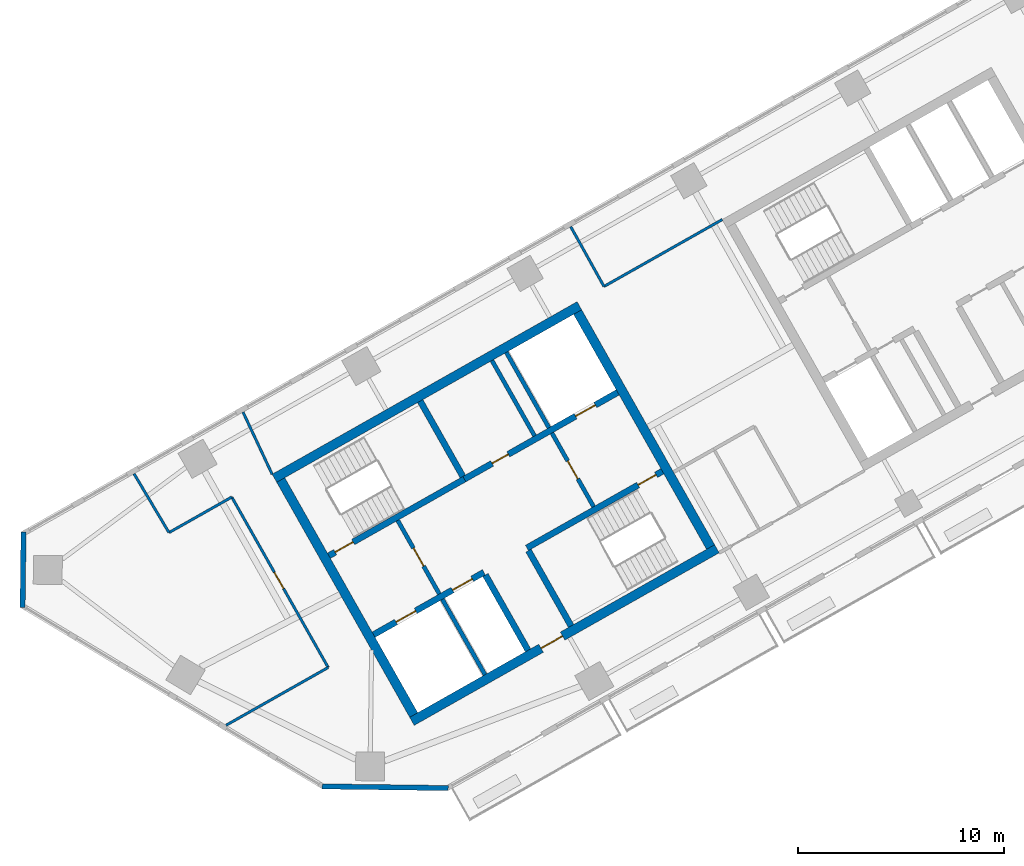
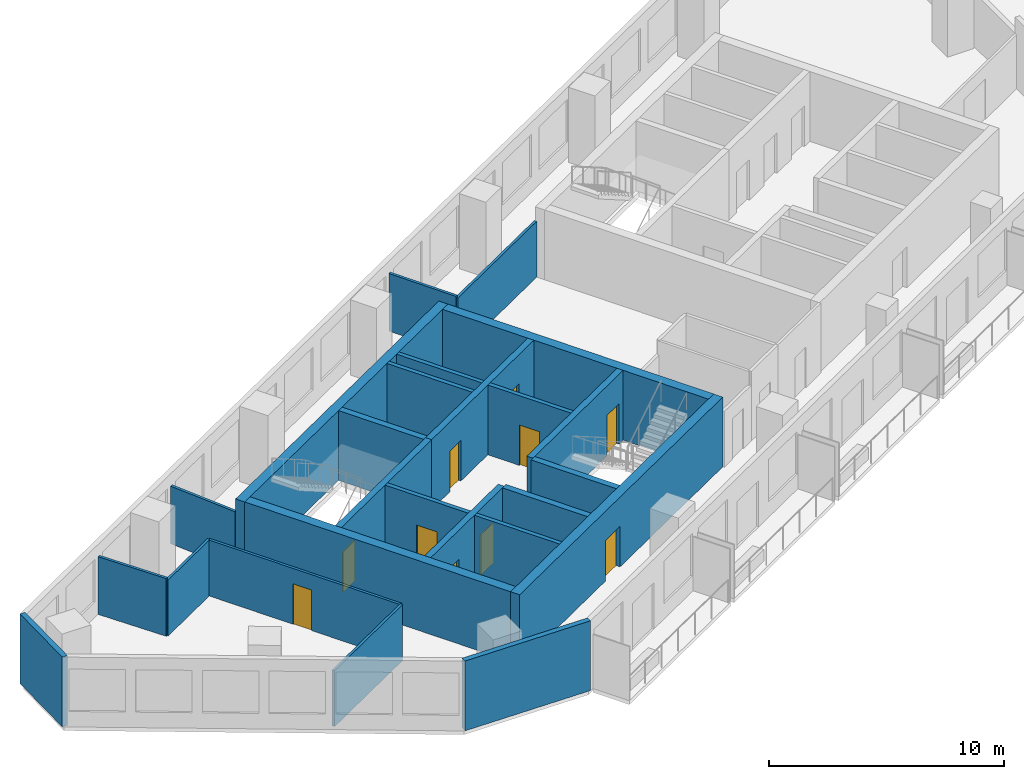
# One storey, part 3 of 12: 25 walls, 10 doors, 10 openings.
"""IFC4 building model written with IfcOpenShell, lengths in metres."""

from ifc_helpers import new_model, si_unit, direction, frame, frame_2d, origin, place, context, subcontext, project, spatial, rectangle, extrude, material, layer, layer_set, type_object, element, fill, save


model = new_model("IFC4")

# Units and contexts
model_context = context("Model", 3, precision=1e-05, world=origin(), true_north=direction((0.0, 1.0)))
body_context = subcontext(model_context, "Body", "Model", "MODEL_VIEW")
ifc_project = project(units=[si_unit("LENGTHUNIT", "METRE"), si_unit("AREAUNIT", "SQUARE_METRE"), si_unit("VOLUMEUNIT", "CUBIC_METRE"), si_unit("PLANEANGLEUNIT", "RADIAN"), si_unit("MASSUNIT", "GRAM", prefix="KILO")], contexts=[model_context])

# Site, building, storey
site_placement = place(None, origin())
site = spatial("IfcSite", under=ifc_project, at=site_placement, CompositionType="ELEMENT")
building_placement = place(site_placement, origin())
building = spatial("IfcBuilding", under=site, at=building_placement, Name="Binnacle Exchange Tower", CompositionType="ELEMENT")
storey_placement = place(building_placement, frame((0.0, 0.0, 242.60009765625)))
storey = spatial("IfcBuildingStorey", under=building, at=storey_placement, Name="L53", CompositionType="ELEMENT", Elevation=242.60009765625)

# Wall, openings, doors
ifc_material_1 = material(Name="Concrete C70/85", Category="concrete")
ifc_layer_1 = layer(ifc_material_1, 0.300048828125)
ifc_layer_set_1 = layer_set([ifc_layer_1], Name="Core wall - front 300")
wall_type_1 = type_object("IfcWallType", Name="Core wall - front 300", PredefinedType="SOLIDWALL", material=ifc_layer_set_1)
wall_1_placement = place(storey_placement, frame((-41.6865234375, 33.88720703125, 0.0), z_axis=(0.0, 0.0, 1.0), x_axis=(0.870355736587, 0.49242348826, 0.0)))
wall_1 = element("IfcWall", 1, at=wall_1_placement, inside=storey, type_object=wall_type_1, Name="Core wall CRWA2", PredefinedType="SOLIDWALL", context=body_context, shape_type="SweptSolid", body=[
    extrude(rectangle(XDim=6.14990234375, YDim=0.300048828125, at=frame_2d((3.074951171875, 0.0))), origin(), (0.0, 0.0, 1.0), 3.619873046875),
])
opening_1_placement = place(wall_1_placement, frame((1.25, 0.0, 0.0)))
opening_1 = element("IfcOpeningElement", 2, at=opening_1_placement, cuts=wall_1, Name="Opening LD12", PredefinedType="OPENING", context=body_context, shape_type="SweptSolid", body=[
    extrude(rectangle(XDim=1.10009765625, YDim=2.10009765625, at=frame_2d((0.550048828125, 1.050048828125))), frame((0.0, 0.159912109375, 0.0), z_axis=(0.0, -1.0, 0.0), x_axis=(1.0, 0.0, 0.0)), (0.0, 0.0, 1.0), 0.320068359375),
])
opening_2_placement = place(wall_1_placement, frame((4.39990234375, 0.0, 0.0)))
opening_2 = element("IfcOpeningElement", 3, at=opening_2_placement, cuts=wall_1, Name="Opening LD8", PredefinedType="OPENING", context=body_context, shape_type="SweptSolid", body=[
    extrude(rectangle(XDim=1.10009765625, YDim=2.10009765625, at=frame_2d((0.550048828125, 1.050048828125))), frame((0.0, 0.159912109375, 0.0), z_axis=(0.0, -1.0, 0.0), x_axis=(1.0, 0.0, 0.0)), (0.0, 0.0, 1.0), 0.320068359375),
])
ifc_material_2 = material(Name="Steel door leaf", Category="steel")
door_type_1 = type_object("IfcDoorType", Name="Fire door - lift landing 1100", OperationType="NOTDEFINED", PredefinedType="DOOR", material=ifc_material_2)
door_1_placement = place(opening_1_placement, origin())
door_1 = element("IfcDoor", 4, at=door_1_placement, inside=storey, type_object=door_type_1, Name="Landing door LD12 L53", OperationType="DOUBLE_DOOR_SLIDING", OverallHeight=2.10009765625, OverallWidth=1.10009765625, PredefinedType="DOOR", context=body_context, shape_type="SweptSolid", body=[
    extrude(rectangle(XDim=1.10009765625, YDim=2.10009765625, at=frame_2d((0.550048828125, 1.050048828125))), frame((0.0, 0.02490234375, 0.0), z_axis=(0.0, -1.0, 0.0), x_axis=(1.0, 0.0, 0.0)), (0.0, 0.0, 1.0), 0.050048828125),
])
fill(opening_1, door_1)
door_2_placement = place(opening_2_placement, origin())
door_2 = element("IfcDoor", 5, at=door_2_placement, inside=storey, type_object=door_type_1, Name="Landing door LD8 L53", OperationType="DOUBLE_DOOR_SLIDING", OverallHeight=2.10009765625, OverallWidth=1.10009765625, PredefinedType="DOOR", context=body_context, shape_type="SweptSolid", body=[
    extrude(rectangle(XDim=1.10009765625, YDim=2.10009765625, at=frame_2d((0.550048828125, 1.050048828125))), frame((0.0, 0.02490234375, 0.0), z_axis=(0.0, -1.0, 0.0), x_axis=(1.0, 0.0, 0.0)), (0.0, 0.0, 1.0), 0.050048828125),
])
fill(opening_2, door_2)

wall_2_placement = place(storey_placement, frame((-37.281982421875, 41.4345703125, 0.0), z_axis=(0.0, 0.0, 1.0), x_axis=(0.870352688754, 0.492428875248, 0.0)))
wall_2 = element("IfcWall", 6, at=wall_2_placement, inside=storey, type_object=wall_type_1, Name="Core wall CRWA5", PredefinedType="SOLIDWALL", context=body_context, shape_type="SweptSolid", body=[
    extrude(rectangle(XDim=8.5498046875, YDim=0.300048828125, at=frame_2d((4.27490234375, 0.0))), origin(), (0.0, 0.0, 1.0), 3.619873046875),
])
opening_3_placement = place(wall_2_placement, frame((6.199951171875, 0.0, 0.0)))
opening_3 = element("IfcOpeningElement", 7, at=opening_3_placement, cuts=wall_2, Name="Opening LD13", PredefinedType="OPENING", context=body_context, shape_type="SweptSolid", body=[
    extrude(rectangle(XDim=1.10009765625, YDim=2.10009765625, at=frame_2d((0.550048828125, 1.050048828125))), frame((0.0, 0.159912109375, 0.0), z_axis=(0.0, -1.0, 0.0), x_axis=(1.0, 0.0, 0.0)), (0.0, 0.0, 1.0), 0.320068359375),
])
opening_4_placement = place(wall_2_placement, frame((1.550048828125, 0.0, 0.0)))
opening_4 = element("IfcOpeningElement", 8, at=opening_4_placement, cuts=wall_2, Name="Opening DA10", PredefinedType="OPENING", context=body_context, shape_type="SweptSolid", body=[
    extrude(rectangle(XDim=0.89990234375, YDim=2.10009765625, at=frame_2d((0.449951171875, 1.050048828125))), frame((0.0, 0.159912109375, 0.0), z_axis=(0.0, -1.0, 0.0), x_axis=(1.0, 0.0, 0.0)), (0.0, 0.0, 1.0), 0.320068359375),
])
door_3_placement = place(opening_3_placement, origin())
door_3 = element("IfcDoor", 9, at=door_3_placement, inside=storey, type_object=door_type_1, Name="Landing door LD13 L53", OperationType="DOUBLE_DOOR_SLIDING", OverallHeight=2.10009765625, OverallWidth=1.10009765625, PredefinedType="DOOR", context=body_context, shape_type="SweptSolid", body=[
    extrude(rectangle(XDim=1.10009765625, YDim=2.10009765625, at=frame_2d((0.550048828125, 1.050048828125))), frame((0.0, 0.02490234375, 0.0), z_axis=(0.0, -1.0, 0.0), x_axis=(1.0, 0.0, 0.0)), (0.0, 0.0, 1.0), 0.050048828125),
])
fill(opening_3, door_3)
door_type_2 = type_object("IfcDoorType", Name="Fire door 900", OperationType="NOTDEFINED", PredefinedType="DOOR", material=ifc_material_2)
door_4_placement = place(opening_4_placement, origin())
door_4 = element("IfcDoor", 10, at=door_4_placement, inside=storey, type_object=door_type_2, Name="Core room door LINEN AND SUPPLIES STORE", OperationType="SINGLE_SWING_LEFT", OverallHeight=2.10009765625, OverallWidth=0.89990234375, PredefinedType="DOOR", context=body_context, shape_type="SweptSolid", body=[
    extrude(rectangle(XDim=0.89990234375, YDim=2.10009765625, at=frame_2d((0.449951171875, 1.050048828125))), frame((0.0, 0.02490234375, 0.0), z_axis=(0.0, -1.0, 0.0), x_axis=(1.0, 0.0, 0.0)), (0.0, 0.0, 1.0), 0.050048828125),
])
fill(opening_4, door_4)

# Wall
wall_3_placement = place(storey_placement, frame((-36.260009765625, 36.784912109375, 0.0), z_axis=(0.0, 0.0, 1.0), x_axis=(0.492409653846, -0.870363563575, 0.0)))
element("IfcWall", 11, at=wall_3_placement, inside=storey, type_object=wall_type_1, Name="Core wall CRWA13", PredefinedType="SOLIDWALL", context=body_context, shape_type="SweptSolid", body=[
    extrude(rectangle(XDim=4.199951171875, YDim=0.300048828125, at=frame_2d((2.10009765625, 0.0))), origin(), (0.0, 0.0, 1.0), 3.619873046875),
])

# Wall, opening, door
ifc_layer_2 = layer(ifc_material_1, 0.449951171875)
ifc_layer_set_2 = layer_set([ifc_layer_2], Name="Core wall - outer 450")
wall_type_2 = type_object("IfcWallType", Name="Core wall - outer 450", PredefinedType="SOLIDWALL", material=ifc_layer_set_2)
wall_4_placement = place(storey_placement, frame((-39.825439453125, 29.68359375, 0.0), z_axis=(0.0, 0.0, 1.0), x_axis=(0.870353598469, 0.492427267353, 0.0)))
wall_4 = element("IfcWall", 12, at=wall_4_placement, inside=storey, type_object=wall_type_2, Name="Core wall CRWA1", PredefinedType="SOLIDWALL", context=body_context, shape_type="SweptSolid", body=[
    extrude(rectangle(XDim=17.000244140625, YDim=0.449951171875, at=frame_2d((8.5, 0.0))), origin(), (0.0, 0.0, 1.0), 3.619873046875),
])
opening_5_placement = place(wall_4_placement, frame((7.199951171875, 0.0, 0.0)))
opening_5 = element("IfcOpeningElement", 13, at=opening_5_placement, cuts=wall_4, Name="Opening DA7", PredefinedType="OPENING", context=body_context, shape_type="SweptSolid", body=[
    extrude(rectangle(XDim=1.199951171875, YDim=2.10009765625, at=frame_2d((0.60009765625, 1.050048828125))), frame((0.0, 0.23486328125, 0.0), z_axis=(0.0, -1.0, 0.0), x_axis=(1.0, 0.0, 0.0)), (0.0, 0.0, 1.0), 0.469970703125),
])
door_type_3 = type_object("IfcDoorType", Name="Fire door 1200", OperationType="NOTDEFINED", PredefinedType="DOOR", material=ifc_material_2)
door_5_placement = place(opening_5_placement, frame((1.199951171875, 0.0, 0.0), z_axis=(0.0, 0.0, 1.0), x_axis=(-1.0, 0.0, 0.0)))
door_5 = element("IfcDoor", 14, at=door_5_placement, inside=storey, type_object=door_type_3, Name="Lift lobby entrance door core A", OperationType="SINGLE_SWING_RIGHT", OverallHeight=2.10009765625, OverallWidth=1.199951171875, PredefinedType="DOOR", context=body_context, shape_type="SweptSolid", body=[
    extrude(rectangle(XDim=1.199951171875, YDim=2.10009765625, at=frame_2d((0.60009765625, 1.050048828125))), frame((0.0, 0.02490234375, 0.0), z_axis=(0.0, -1.0, 0.0), x_axis=(1.0, 0.0, 0.0)), (0.0, 0.0, 1.0), 0.050048828125),
])
fill(opening_5, door_5)

# Walls
wall_5_placement = place(storey_placement, frame((-46.497802734375, 41.47705078125, 0.0), z_axis=(0.0, 0.0, 1.0), x_axis=(0.870359753402, 0.492416388494, 0.0)))
element("IfcWall", 15, at=wall_5_placement, inside=storey, type_object=wall_type_2, Name="Core wall CRWA6", PredefinedType="SOLIDWALL", context=body_context, shape_type="SweptSolid", body=[
    extrude(rectangle(XDim=17.0, YDim=0.449951171875, at=frame_2d((8.5, 0.0))), origin(), (0.0, 0.0, 1.0), 3.619873046875),
])
for number, where, z_axis, x_axis, name in (
    (16, (-46.191162109375, 41.391845703125, 0.0), (0.0, 0.0, 1.0), (0.492421378713, -0.870356930107, 0.0), "Core wall CRWA7"),
    (17, (-31.78662109375, 49.54150390625, 0.0), (0.0, 0.0, 1.0), (0.492421378713, -0.870356930107, 0.0), "Core wall CRWA22"),
):
    element("IfcWall", number, at=place(storey_placement, frame(where, z_axis=z_axis, x_axis=x_axis)), inside=storey, type_object=wall_type_2, Name=name, PredefinedType="SOLIDWALL", context=body_context, shape_type="SweptSolid", body=[
        extrude(rectangle(XDim=13.099853515625, YDim=0.449951171875, at=frame_2d((6.5498046875, 0.0))), origin(), (0.0, 0.0, 1.0), 3.619873046875),
    ])

# Wall, opening, door
ifc_layer_3 = layer(ifc_material_1, 0.300048828125)
ifc_layer_set_3 = layer_set([ifc_layer_3], Name="Core wall - stair 300")
wall_type_3 = type_object("IfcWallType", Name="Core wall - stair 300", PredefinedType="SOLIDWALL", material=ifc_layer_set_3)
wall_6_placement = place(storey_placement, frame((-34.2451171875, 38.097412109375, 0.0), z_axis=(0.0, 0.0, 1.0), x_axis=(0.870360409231, 0.492415229297, 0.0)))
wall_6 = element("IfcWall", 18, at=wall_6_placement, inside=storey, type_object=wall_type_3, Name="Core wall CRWA3", PredefinedType="SOLIDWALL", context=body_context, shape_type="SweptSolid", body=[
    extrude(rectangle(XDim=7.550048828125, YDim=0.300048828125, at=frame_2d((3.77490234375, 0.0))), origin(), (0.0, 0.0, 1.0), 3.619873046875),
])
opening_6_placement = place(wall_6_placement, frame((6.199951171875, 0.0, 0.0)))
opening_6 = element("IfcOpeningElement", 19, at=opening_6_placement, cuts=wall_6, Name="Opening DA2", PredefinedType="OPENING", context=body_context, shape_type="SweptSolid", body=[
    extrude(rectangle(XDim=1.0, YDim=2.10009765625, at=frame_2d((0.5, 1.050048828125))), frame((0.0, 0.159912109375, 0.0), z_axis=(0.0, -1.0, 0.0), x_axis=(1.0, 0.0, 0.0)), (0.0, 0.0, 1.0), 0.320068359375),
])
door_type_4 = type_object("IfcDoorType", Name="Fire door 1000", OperationType="NOTDEFINED", PredefinedType="DOOR", material=ifc_material_2)
door_6_placement = place(opening_6_placement, frame((1.0, 0.0, 0.0), z_axis=(0.0, 0.0, 1.0), x_axis=(-1.0, 0.0, 0.0)))
door_6 = element("IfcDoor", 20, at=door_6_placement, inside=storey, type_object=door_type_4, Name="Stair door ST-A2", OperationType="SINGLE_SWING_LEFT", OverallHeight=2.10009765625, OverallWidth=1.0, PredefinedType="DOOR", context=body_context, shape_type="SweptSolid", body=[
    extrude(rectangle(XDim=1.0, YDim=2.10009765625, at=frame_2d((0.5, 1.050048828125))), frame((0.0, 0.02490234375, 0.0), z_axis=(0.0, -1.0, 0.0), x_axis=(1.0, 0.0, 0.0)), (0.0, 0.0, 1.0), 0.050048828125),
])
fill(opening_6, door_6)

wall_7_placement = place(storey_placement, frame((-43.853271484375, 37.716796875, 0.0), z_axis=(0.0, 0.0, 1.0), x_axis=(0.870360409231, 0.492415229297, 0.0)))
wall_7 = element("IfcWall", 21, at=wall_7_placement, inside=storey, type_object=wall_type_3, Name="Core wall CRWA4", PredefinedType="SOLIDWALL", context=body_context, shape_type="SweptSolid", body=[
    extrude(rectangle(XDim=7.550048828125, YDim=0.300048828125, at=frame_2d((3.77490234375, 0.0))), origin(), (0.0, 0.0, 1.0), 3.619873046875),
])
opening_7_placement = place(wall_7_placement, frame((0.35009765625, 0.0, 0.0)))
opening_7 = element("IfcOpeningElement", 22, at=opening_7_placement, cuts=wall_7, Name="Opening DA1", PredefinedType="OPENING", context=body_context, shape_type="SweptSolid", body=[
    extrude(rectangle(XDim=1.0, YDim=2.10009765625, at=frame_2d((0.5, 1.050048828125))), frame((0.0, 0.159912109375, 0.0), z_axis=(0.0, -1.0, 0.0), x_axis=(1.0, 0.0, 0.0)), (0.0, 0.0, 1.0), 0.320068359375),
])
door_7_placement = place(opening_7_placement, origin())
door_7 = element("IfcDoor", 23, at=door_7_placement, inside=storey, type_object=door_type_4, Name="Stair door ST-A1", OperationType="SINGLE_SWING_LEFT", OverallHeight=2.10009765625, OverallWidth=1.0, PredefinedType="DOOR", context=body_context, shape_type="SweptSolid", body=[
    extrude(rectangle(XDim=1.0, YDim=2.10009765625, at=frame_2d((0.5, 1.050048828125))), frame((0.0, 0.02490234375, 0.0), z_axis=(0.0, -1.0, 0.0), x_axis=(1.0, 0.0, 0.0)), (0.0, 0.0, 1.0), 0.050048828125),
])
fill(opening_7, door_7)

# Walls
for number, where, z_axis, x_axis, name in (
    (24, (-39.424072265625, 45.220458984375, 0.0), (0.0, 0.0, 1.0), (0.492409653846, -0.870363563575, 0.0), "Core wall CRWA14"),
    (25, (-34.171142578125, 37.966796875, 0.0), (0.0, 0.0, 1.0), (0.492409653846, -0.870363563575, 0.0), "Core wall CRWA16"),
):
    element("IfcWall", number, at=place(storey_placement, frame(where, z_axis=z_axis, x_axis=x_axis)), inside=storey, type_object=wall_type_3, Name=name, PredefinedType="SOLIDWALL", context=body_context, shape_type="SweptSolid", body=[
        extrude(rectangle(XDim=4.199951171875, YDim=0.300048828125, at=frame_2d((2.10009765625, 0.0))), origin(), (0.0, 0.0, 1.0), 3.619873046875),
    ])
ifc_material_3 = material(Name="Bronze aluminium cladding", Category="aluminium")
ifc_layer_4 = layer(ifc_material_3, 0.25)
ifc_layer_set_4 = layer_set([ifc_layer_4], Name="External wall - window wall 250")
wall_type_4 = type_object("IfcWallType", Name="External wall - window wall 250", PredefinedType="STANDARD", material=ifc_layer_set_4)
wall_8_placement = place(storey_placement, frame((-38.06396484375, 26.44482421875, 0.0), z_axis=(0.0, 0.0, 1.0), x_axis=(-0.999914239143, 0.013096349097, 0.0)))
element("IfcWall", 26, at=wall_8_placement, inside=storey, type_object=wall_type_4, Name="External wall EW-G00 L53", PredefinedType="STANDARD", context=body_context, shape_type="SweptSolid", body=[
    extrude(rectangle(XDim=6.114501953125, YDim=0.25, at=frame_2d((3.05712890625, 0.0))), origin(), (0.0, 0.0, 1.0), 3.619873046875),
])
wall_9_placement = place(storey_placement, frame((-58.717041015625, 35.208251953125, 0.0), z_axis=(0.0, 0.0, 1.0), x_axis=(0.01310512158, 0.999914124207, 0.0)))
element("IfcWall", 27, at=wall_9_placement, inside=storey, type_object=wall_type_4, Name="External wall EW-G09 L53", PredefinedType="STANDARD", context=body_context, shape_type="SweptSolid", body=[
    extrude(rectangle(XDim=3.669921875, YDim=0.25, at=frame_2d((1.8349609375, 0.0))), origin(), (0.0, 0.0, 1.0), 3.619873046875),
])

# Wall, opening, door
ifc_material_4 = material(Name="Masonry block wall", Category="masonry")
ifc_layer_5 = layer(ifc_material_4, 0.199951171875)
ifc_layer_set_5 = layer_set([ifc_layer_5], Name="Fire wall - vestibule 200")
wall_type_5 = type_object("IfcWallType", Name="Fire wall - vestibule 200", PredefinedType="PARTITIONING", material=ifc_layer_set_5)
wall_10_placement = place(storey_placement, frame((-40.515625, 39.4326171875, 0.0), z_axis=(0.0, 0.0, 1.0), x_axis=(0.492453559952, -0.87033872216, 0.0)))
wall_10 = element("IfcWall", 28, at=wall_10_placement, inside=storey, type_object=wall_type_5, Name="Core wall CRWA10", PredefinedType="PARTITIONING", context=body_context, shape_type="SweptSolid", body=[
    extrude(rectangle(XDim=4.099853515625, YDim=0.199951171875, at=frame_2d((2.0498046875, 0.0))), origin(), (0.0, 0.0, 1.0), 3.619873046875),
])
opening_8_placement = place(wall_10_placement, frame((1.550048828125, 0.0, 0.0)))
opening_8 = element("IfcOpeningElement", 29, at=opening_8_placement, cuts=wall_10, Name="Opening DA3", PredefinedType="OPENING", context=body_context, shape_type="SweptSolid", body=[
    extrude(rectangle(XDim=1.0, YDim=2.10009765625, at=frame_2d((0.5, 1.050048828125))), frame((0.0, 0.10986328125, 0.0), z_axis=(0.0, -1.0, 0.0), x_axis=(1.0, 0.0, 0.0)), (0.0, 0.0, 1.0), 0.219970703125),
])
door_8_placement = place(opening_8_placement, frame((1.0, 0.0, 0.0), z_axis=(0.0, 0.0, 1.0), x_axis=(-1.0, 0.0, 0.0)))
door_8 = element("IfcDoor", 30, at=door_8_placement, inside=storey, type_object=door_type_4, Name="Vestibule door VEST-W", OperationType="SINGLE_SWING_LEFT", OverallHeight=2.10009765625, OverallWidth=1.0, PredefinedType="DOOR", context=body_context, shape_type="SweptSolid", body=[
    extrude(rectangle(XDim=1.0, YDim=2.10009765625, at=frame_2d((0.5, 1.050048828125))), frame((0.0, 0.02490234375, 0.0), z_axis=(0.0, -1.0, 0.0), x_axis=(1.0, 0.0, 0.0)), (0.0, 0.0, 1.0), 0.050048828125),
])
fill(opening_8, door_8)

wall_11_placement = place(storey_placement, frame((-33.030517578125, 43.66748046875, 0.0), z_axis=(0.0, 0.0, 1.0), x_axis=(0.492408451753, -0.87036424366, 0.0)))
wall_11 = element("IfcWall", 31, at=wall_11_placement, inside=storey, type_object=wall_type_5, Name="Core wall CRWA19", PredefinedType="PARTITIONING", context=body_context, shape_type="SweptSolid", body=[
    extrude(rectangle(XDim=4.099853515625, YDim=0.199951171875, at=frame_2d((2.0498046875, 0.0))), origin(), (0.0, 0.0, 1.0), 3.619873046875),
])
opening_9_placement = place(wall_11_placement, frame((1.550048828125, 0.0, 0.0)))
opening_9 = element("IfcOpeningElement", 32, at=opening_9_placement, cuts=wall_11, Name="Opening DA4", PredefinedType="OPENING", context=body_context, shape_type="SweptSolid", body=[
    extrude(rectangle(XDim=1.0, YDim=2.10009765625, at=frame_2d((0.5, 1.050048828125))), frame((0.0, 0.10986328125, 0.0), z_axis=(0.0, -1.0, 0.0), x_axis=(1.0, 0.0, 0.0)), (0.0, 0.0, 1.0), 0.219970703125),
])
door_9_placement = place(opening_9_placement, origin())
door_9 = element("IfcDoor", 33, at=door_9_placement, inside=storey, type_object=door_type_4, Name="Vestibule door VEST-E", OperationType="SINGLE_SWING_RIGHT", OverallHeight=2.10009765625, OverallWidth=1.0, PredefinedType="DOOR", context=body_context, shape_type="SweptSolid", body=[
    extrude(rectangle(XDim=1.0, YDim=2.10009765625, at=frame_2d((0.5, 1.050048828125))), frame((0.0, 0.02490234375, 0.0), z_axis=(0.0, -1.0, 0.0), x_axis=(1.0, 0.0, 0.0)), (0.0, 0.0, 1.0), 0.050048828125),
])
fill(opening_9, door_9)

# Walls
ifc_material_5 = material(Name="Gypsum partition")
ifc_layer_6 = layer(ifc_material_5, 0.125)
ifc_layer_set_6 = layer_set([ifc_layer_6], Name="Partition 125")
wall_type_6 = type_object("IfcWallType", Name="Partition 125", PredefinedType="PARTITIONING", material=ifc_layer_set_6)
wall_12_placement = place(storey_placement, frame((-53.30908203125, 41.696044921875, 0.0), z_axis=(0.0, 0.0, 1.0), x_axis=(0.510739180143, -0.859735709312, 0.0)))
element("IfcWall", 34, at=wall_12_placement, inside=storey, type_object=wall_type_6, Name="Partition W01", PredefinedType="PARTITIONING", context=body_context, shape_type="SweptSolid", body=[
    extrude(rectangle(XDim=3.32080078125, YDim=0.125, at=frame_2d((1.660400390625, 0.0))), origin(), (0.0, 0.0, 1.0), 2.993896484375),
])
wall_13_placement = place(storey_placement, frame((-51.613037109375, 38.841064453125, 0.0), z_axis=(0.0, 0.0, 1.0), x_axis=(0.870300294116, 0.492521469645, 0.0)))
element("IfcWall", 35, at=wall_13_placement, inside=storey, type_object=wall_type_6, Name="Partition W02", PredefinedType="PARTITIONING", context=body_context, shape_type="SweptSolid", body=[
    extrude(rectangle(XDim=3.5, YDim=0.125, at=frame_2d((1.75, 0.0))), origin(), (0.0, 0.0, 1.0), 2.89990234375),
])
wall_14_placement = place(storey_placement, frame((-48.843017578125, 29.493896484375, 0.0), z_axis=(0.0, 0.0, 1.0), x_axis=(0.870331085166, 0.492467056962, 0.0)))
element("IfcWall", 36, at=wall_14_placement, inside=storey, type_object=wall_type_6, Name="Partition W03", PredefinedType="PARTITIONING", context=body_context, shape_type="SweptSolid", body=[
    extrude(rectangle(XDim=5.692138671875, YDim=0.125, at=frame_2d((2.84619140625, 0.0))), origin(), (0.0, 0.0, 1.0), 2.89990234375),
])

# Wall, opening, door
wall_15_placement = place(storey_placement, frame((-48.56689453125, 40.56494140625, 0.0), z_axis=(0.0, 0.0, 1.0), x_axis=(0.492445070084, -0.870343525828, 0.0)))
wall_15 = element("IfcWall", 37, at=wall_15_placement, inside=storey, type_object=wall_type_6, Name="Partition W04", PredefinedType="PARTITIONING", context=body_context, shape_type="SweptSolid", body=[
    extrude(rectangle(XDim=9.49951171875, YDim=0.125, at=frame_2d((4.749755859375, 0.0))), origin(), (0.0, 0.0, 1.0), 2.89990234375),
])
opening_10_placement = place(wall_15_placement, frame((4.199951171875, 0.0, 0.0)))
opening_10 = element("IfcOpeningElement", 38, at=opening_10_placement, cuts=wall_15, Name="Opening DL52-01", PredefinedType="OPENING", context=body_context, shape_type="SweptSolid", body=[
    extrude(rectangle(XDim=0.89990234375, YDim=2.10009765625, at=frame_2d((0.449951171875, 1.050048828125))), frame((0.0, 0.072509765625, 0.0), z_axis=(0.0, -1.0, 0.0), x_axis=(1.0, 0.0, 0.0)), (0.0, 0.0, 1.0), 0.14501953125),
])
ifc_material_6 = material(Name="Timber door leaf", Category="wood")
door_type_5 = type_object("IfcDoorType", Name="Door 900", OperationType="NOTDEFINED", PredefinedType="DOOR", material=ifc_material_6)
door_10_placement = place(opening_10_placement, frame((0.89990234375, 0.0, 0.0), z_axis=(0.0, 0.0, 1.0), x_axis=(-1.0, 0.0, 0.0)))
door_10 = element("IfcDoor", 39, at=door_10_placement, inside=storey, type_object=door_type_5, Name="Door DL52-01", OperationType="SINGLE_SWING_RIGHT", OverallHeight=2.10009765625, OverallWidth=0.89990234375, PredefinedType="DOOR", context=body_context, shape_type="SweptSolid", body=[
    extrude(rectangle(XDim=0.89990234375, YDim=2.10009765625, at=frame_2d((0.449951171875, 1.050048828125))), frame((0.0, 0.02490234375, 0.0), z_axis=(0.0, -1.0, 0.0), x_axis=(1.0, 0.0, 0.0)), (0.0, 0.0, 1.0), 0.050048828125),
])
fill(opening_10, door_10)

# Walls
wall_16_placement = place(storey_placement, frame((-48.02197265625, 44.68701171875, 0.0), z_axis=(0.0, 0.0, 1.0), x_axis=(0.424510917438, -0.905422818895, 0.0)))
element("IfcWall", 40, at=wall_16_placement, inside=storey, type_object=wall_type_6, Name="Partition W05", PredefinedType="PARTITIONING", context=body_context, shape_type="SweptSolid", body=[
    extrude(rectangle(XDim=3.328857421875, YDim=0.125, at=frame_2d((1.66455078125, 0.0))), origin(), (0.0, 0.0, 1.0), 2.98779296875),
])
wall_17_placement = place(storey_placement, frame((-32.12109375, 53.68310546875, 0.0), z_axis=(0.0, 0.0, 1.0), x_axis=(0.486292328656, -0.873796183952, 0.0)))
element("IfcWall", 41, at=wall_17_placement, inside=storey, type_object=wall_type_6, Name="Partition W06", PredefinedType="PARTITIONING", context=body_context, shape_type="SweptSolid", body=[
    extrude(rectangle(XDim=3.319091796875, YDim=0.125, at=frame_2d((1.65966796875, 0.0))), origin(), (0.0, 0.0, 1.0), 2.98779296875),
])
wall_18_placement = place(storey_placement, frame((-30.507080078125, 50.782958984375, 0.0), z_axis=(0.0, 0.0, 1.0), x_axis=(0.870368895989, 0.492400228367, 0.0)))
element("IfcWall", 42, at=wall_18_placement, inside=storey, type_object=wall_type_6, Name="Partition W07", PredefinedType="PARTITIONING", context=body_context, shape_type="SweptSolid", body=[
    extrude(rectangle(XDim=6.59033203125, YDim=0.125, at=frame_2d((3.295166015625, 0.0))), origin(), (0.0, 0.0, 1.0), 2.891845703125),
])
ifc_layer_7 = layer(ifc_material_4, 0.199951171875)
ifc_layer_set_7 = layer_set([ifc_layer_7], Name="Riser wall 200")
wall_type_7 = type_object("IfcWallType", Name="Riser wall 200", PredefinedType="SOLIDWALL", material=ifc_layer_set_7)
for number, where, z_axis, x_axis, name in (
    (43, (-35.942626953125, 47.190185546875, 0.0), (0.0, 0.0, 1.0), (0.492409653846, -0.870363563575, 0.0), "Core wall CRWA18"),
    (44, (-35.246337890625, 47.584228515625, 0.0), (0.0, 0.0, 1.0), (0.492409653846, -0.870363563575, 0.0), "Core wall CRWA20"),
):
    element("IfcWall", number, at=place(storey_placement, frame(where, z_axis=z_axis, x_axis=x_axis)), inside=storey, type_object=wall_type_7, Name=name, PredefinedType="SOLIDWALL", context=body_context, shape_type="SweptSolid", body=[
        extrude(rectangle(XDim=4.199951171875, YDim=0.199951171875, at=frame_2d((2.10009765625, 0.0))), origin(), (0.0, 0.0, 1.0), 3.619873046875),
    ])
ifc_layer_8 = layer(ifc_material_4, 0.199951171875)
ifc_layer_set_8 = layer_set([ifc_layer_8], Name="Shaft wall 200")
wall_type_8 = type_object("IfcWallType", Name="Shaft wall 200", PredefinedType="SOLIDWALL", material=ifc_layer_set_8)
wall_19_placement = place(storey_placement, frame((-38.348876953125, 35.603271484375, 0.0), z_axis=(0.0, 0.0, 1.0), x_axis=(0.492409653846, -0.870363563575, 0.0)))
element("IfcWall", 45, at=wall_19_placement, inside=storey, type_object=wall_type_8, Name="Core wall CRWA9", PredefinedType="SOLIDWALL", context=body_context, shape_type="SweptSolid", body=[
    extrude(rectangle(XDim=4.199951171875, YDim=0.199951171875, at=frame_2d((2.10009765625, 0.0))), origin(), (0.0, 0.0, 1.0), 3.619873046875),
])

save(model, "model.ifc")
